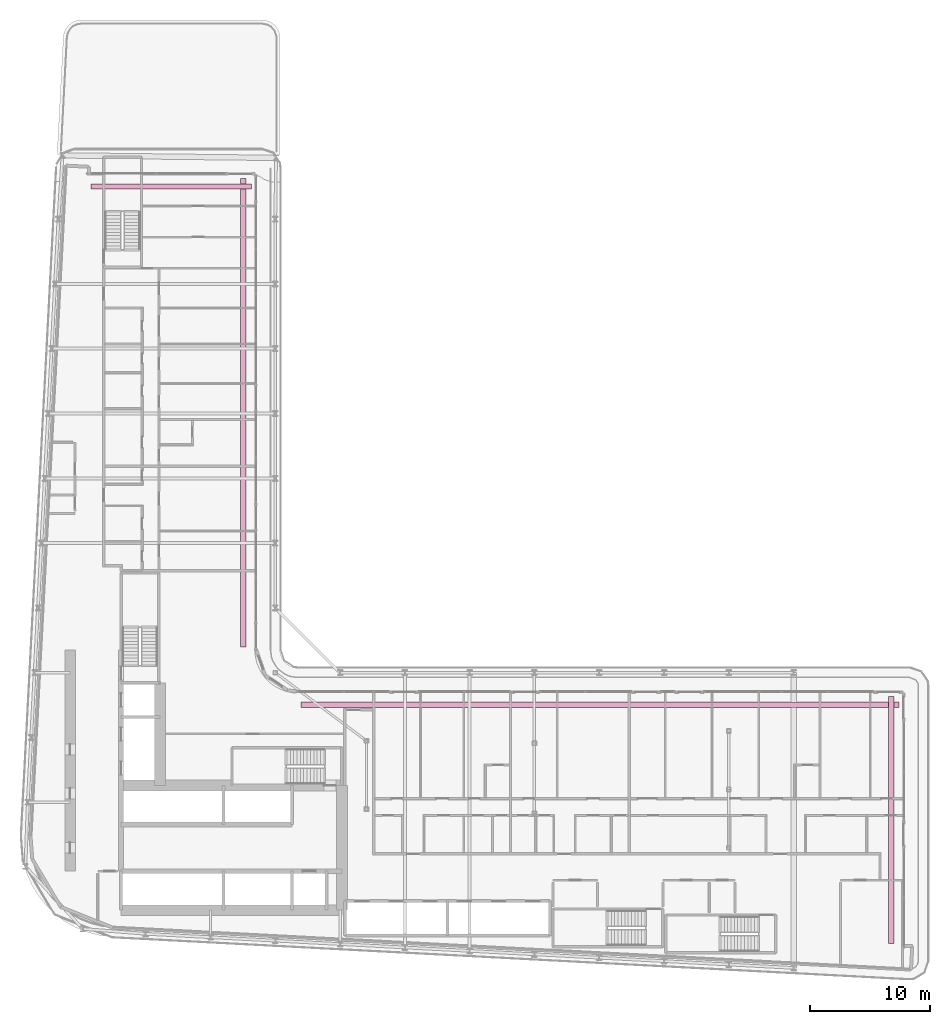
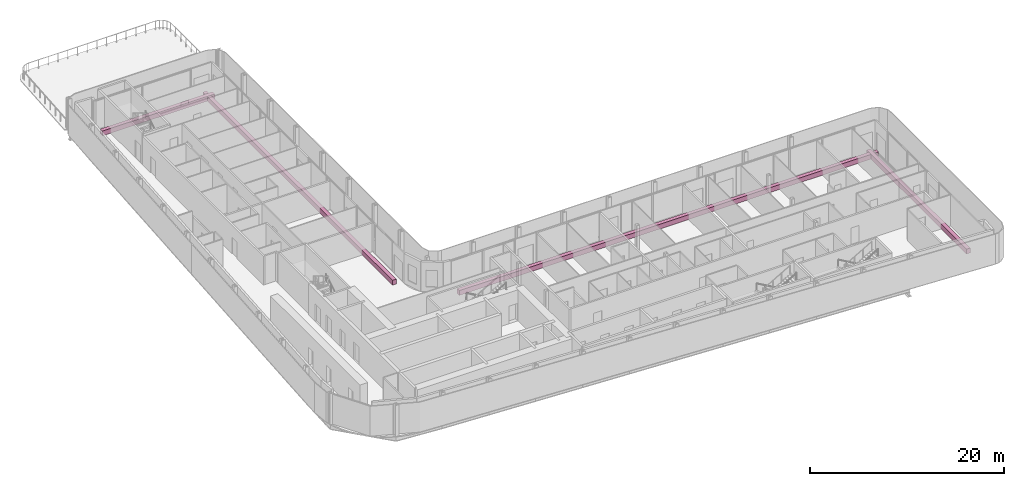
# One storey, part 28 of 28: 4 furniture elements.
"""IFC4 building model written with IfcOpenShell, lengths in metres."""

from ifc_helpers import new_model, si_unit, direction, frame, origin, origin_2d, place, context, subcontext, project, spatial, rectangle, extrude, material, type_object, element, save


model = new_model("IFC4")

# Units and contexts
model_context = context("Model", 3, precision=1e-05, world=origin(), true_north=direction((0.0, 1.0)))
body_context = subcontext(model_context, "Body", "Model", "MODEL_VIEW")
ifc_project = project(units=[si_unit("LENGTHUNIT", "METRE"), si_unit("AREAUNIT", "SQUARE_METRE"), si_unit("VOLUMEUNIT", "CUBIC_METRE"), si_unit("PLANEANGLEUNIT", "RADIAN"), si_unit("MASSUNIT", "GRAM", prefix="KILO")], contexts=[model_context])

# Site, building, storey
site_placement = place(None, origin())
site = spatial("IfcSite", under=ifc_project, at=site_placement, CompositionType="ELEMENT")
building_placement = place(site_placement, origin())
building = spatial("IfcBuilding", under=site, at=building_placement, Name="Kheshtan School and Residences Tower", CompositionType="ELEMENT")
storey_placement = place(building_placement, frame((0.0, 0.0, 94.10009765625)))
storey = spatial("IfcBuildingStorey", under=building, at=storey_placement, Name="L21", CompositionType="ELEMENT", Elevation=94.10009765625)

# Furniture
ifc_material = material(Name="Precast concrete C30/37 in terracotta finish", Category="masonry")
furniture_type = type_object("IfcFurnitureType", Name="Planter trough", AssemblyPlace="NOTDEFINED", PredefinedType="USERDEFINED", material=ifc_material)
furniture_1_placement = place(storey_placement, frame((38.912109375, 86.125, -0.000244140625), z_axis=(0.0, 0.0, 1.0), x_axis=(1.0, 0.0, 0.0)))
element("IfcFurniture", 1, at=furniture_1_placement, inside=storey, type_object=furniture_type, Name="Planter L21", ObjectType="PLANTER", PredefinedType="USERDEFINED", context=body_context, shape_type="SweptSolid", body=[
    extrude(rectangle(XDim=13.3759765625, YDim=0.449951171875, at=origin_2d()), origin(), (0.0, 0.0, 1.0), 0.60009765625),
])
furniture_2_placement = place(storey_placement, frame((44.925048828125, 67.264892578125, -0.000244140625), z_axis=(0.0, 0.0, 1.0), x_axis=(0.0, -1.0, 0.0)))
element("IfcFurniture", 2, at=furniture_2_placement, inside=storey, type_object=furniture_type, Name="Planter L21", ObjectType="PLANTER", PredefinedType="USERDEFINED", context=body_context, shape_type="SweptSolid", body=[
    extrude(rectangle(XDim=39.070068359375, YDim=0.449951171875, at=origin_2d()), origin(), (0.0, 0.0, 1.0), 0.60009765625),
])
furniture_3_placement = place(storey_placement, frame((74.6650390625, 42.925048828125, -0.000244140625), z_axis=(0.0, 0.0, 1.0), x_axis=(1.0, 0.0, 0.0)))
element("IfcFurniture", 3, at=furniture_3_placement, inside=storey, type_object=furniture_type, Name="Planter L21", ObjectType="PLANTER", PredefinedType="USERDEFINED", context=body_context, shape_type="SweptSolid", body=[
    extrude(rectangle(XDim=49.8701171875, YDim=0.449951171875, at=origin_2d()), origin(), (0.0, 0.0, 1.0), 0.60009765625),
])
furniture_4_placement = place(storey_placement, frame((98.925048828125, 33.306884765625, -0.000244140625), z_axis=(0.0, 0.0, 1.0), x_axis=(0.0, -1.0, 0.0)))
element("IfcFurniture", 4, at=furniture_4_placement, inside=storey, type_object=furniture_type, Name="Planter L21", ObjectType="PLANTER", PredefinedType="USERDEFINED", context=body_context, shape_type="SweptSolid", body=[
    extrude(rectangle(XDim=20.5859375, YDim=0.449951171875, at=origin_2d()), origin(), (0.0, 0.0, 1.0), 0.60009765625),
])

save(model, "model.ifc")
